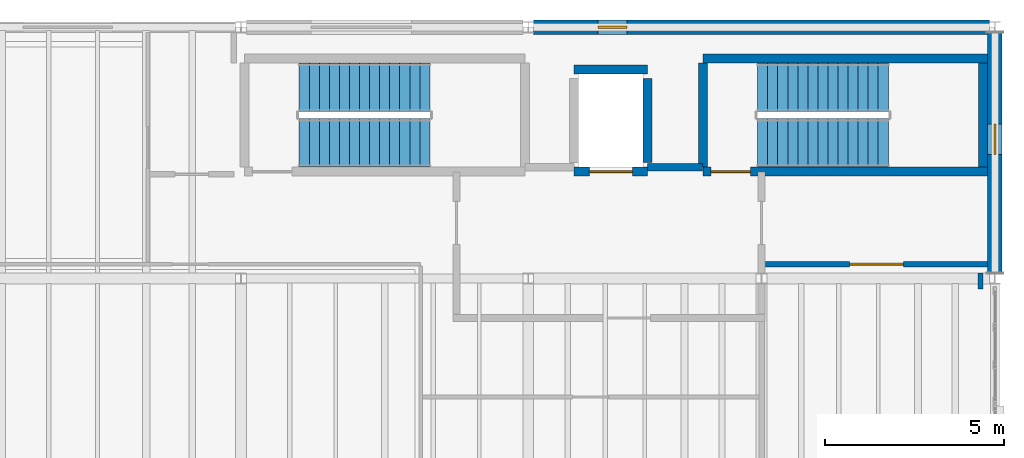
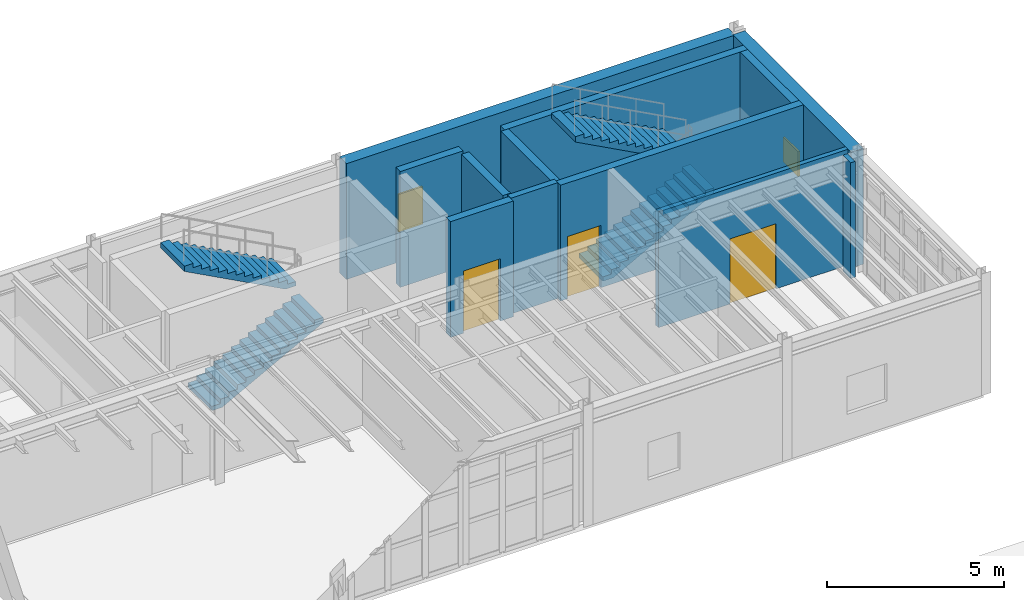
# One storey, part 9 of 11: 12 walls, 4 stair flights, 3 doors, 2 windows, 5 openings, 2 elements without a shape of their own.
"""IFC4 building model written with IfcOpenShell, lengths in metres."""

from ifc_helpers import new_model, si_unit, direction, frame, frame_2d, origin, place, context, subcontext, project, spatial, polyline, rectangle, outline, extrude, material, layer, layer_set, type_object, element, fill, aggregate, save


model = new_model("IFC4")

# Units and contexts
model_context = context("Model", 3, precision=1e-05, world=origin(), true_north=direction((0.0, 1.0)))
body_context = subcontext(model_context, "Body", "Model", "MODEL_VIEW")
ifc_project = project(units=[si_unit("LENGTHUNIT", "METRE"), si_unit("AREAUNIT", "SQUARE_METRE"), si_unit("VOLUMEUNIT", "CUBIC_METRE"), si_unit("PLANEANGLEUNIT", "RADIAN"), si_unit("MASSUNIT", "GRAM", prefix="KILO"), si_unit("THERMODYNAMICTEMPERATUREUNIT", "KELVIN"), si_unit("POWERUNIT", "WATT")], contexts=[model_context])

# Site, building, storey
site_placement = place(None, origin())
site = spatial("IfcSite", under=ifc_project, at=site_placement, CompositionType="ELEMENT")
building_placement = place(site_placement, origin())
building = spatial("IfcBuilding", under=site, at=building_placement, Name="Zhenchuan Central Fire Station", CompositionType="ELEMENT")
storey_placement = place(building_placement, frame((0.0, 0.0, 18.449951171875)))
storey = spatial("IfcBuildingStorey", under=building, at=storey_placement, Name="L05", CompositionType="ELEMENT", Elevation=18.449951171875)

# Wall, opening, window
ifc_material_1 = material(Name="Concrete C40/50", Category="concrete")
ifc_layer_1 = layer(ifc_material_1, 0.39990234375, Name="Concrete C40/50", Category="concrete")
ifc_layer_set_1 = layer_set([ifc_layer_1], Name="Concrete C40/50")
wall_type_1 = type_object("IfcWallType", Name="EW-RC400", PredefinedType="SHEAR", material=ifc_layer_set_1)
wall_1_placement = place(storey_placement, frame((148.14990234375, 56.5, 0.0), z_axis=(0.0, 0.0, 1.0), x_axis=(1.0, 0.0, 0.0)))
wall_1 = element("IfcWall", 1, at=wall_1_placement, inside=storey, type_object=wall_type_1, Name="EW-L05-V6N-2", PredefinedType="SHEAR", context=body_context, shape_type="SweptSolid", body=[
    extrude(rectangle(XDim=12.7001953125, YDim=0.39990234375, at=frame_2d((6.35009765625, 0.0))), origin(), (0.0, 0.0, 1.0), 4.0),
])
opening_1_placement = place(wall_1_placement, frame((1.800048828125, 0.0, 0.89990234375)))
opening_1 = element("IfcOpeningElement", 2, at=opening_1_placement, cuts=wall_1, Name="Opening W-39", PredefinedType="OPENING", context=body_context, shape_type="SweptSolid", body=[
    extrude(rectangle(XDim=0.800048828125, YDim=1.300048828125, at=frame_2d((0.39990234375, 0.64990234375))), frame((0.0, 0.2099609375, 0.0), z_axis=(0.0, -1.0, 0.0), x_axis=(1.0, 0.0, 0.0)), (0.0, 0.0, 1.0), 0.419921875),
])
ifc_material_2 = material(Name="Laminated low-E double glazing in aluminium frame", Category="aluminium")
window_type_1 = type_object("IfcWindowType", Name="WN-39", PartitioningType="SINGLE_PANEL", PredefinedType="WINDOW", material=ifc_material_2)
window_1_placement = place(opening_1_placement, origin())
window_1 = element("IfcWindow", 3, at=window_1_placement, inside=storey, type_object=window_type_1, Name="Exterior Window 0131", OverallHeight=1.300048828125, OverallWidth=0.800048828125, PartitioningType="SINGLE_PANEL", PredefinedType="WINDOW", context=body_context, shape_type="SweptSolid", body=[
    extrude(rectangle(XDim=0.800048828125, YDim=1.300048828125, at=frame_2d((0.39990234375, 0.64990234375))), frame((0.0, 0.030029296875, 0.0), z_axis=(0.0, -1.0, 0.0), x_axis=(1.0, 0.0, 0.0)), (0.0, 0.0, 1.0), 0.06005859375),
])
fill(opening_1, window_1)

wall_2_placement = place(storey_placement, frame((161.0, 49.64990234375, 0.0), z_axis=(0.0, 0.0, 1.0), x_axis=(0.0, 1.0, 0.0)))
wall_2 = element("IfcWall", 4, at=wall_2_placement, inside=storey, type_object=wall_type_1, Name="EW-L05-V6E-1", PredefinedType="SHEAR", context=body_context, shape_type="SweptSolid", body=[
    extrude(rectangle(XDim=6.7001953125, YDim=0.39990234375, at=frame_2d((3.35009765625, 0.0))), origin(), (0.0, 0.0, 1.0), 4.0),
])
opening_2_placement = place(wall_2_placement, frame((3.300048828125, 0.0, 1.10009765625)))
opening_2 = element("IfcOpeningElement", 5, at=opening_2_placement, cuts=wall_2, Name="Opening W-03", PredefinedType="OPENING", context=body_context, shape_type="SweptSolid", body=[
    extrude(rectangle(XDim=0.85009765625, YDim=0.85009765625, at=frame_2d((0.425048828125, 0.425048828125))), frame((0.0, 0.2099609375, 0.0), z_axis=(0.0, -1.0, 0.0), x_axis=(1.0, 0.0, 0.0)), (0.0, 0.0, 1.0), 0.419921875),
])
window_type_2 = type_object("IfcWindowType", Name="WN-03", PartitioningType="SINGLE_PANEL", PredefinedType="WINDOW", material=ifc_material_2)
window_2_placement = place(opening_2_placement, origin())
window_2 = element("IfcWindow", 6, at=window_2_placement, inside=storey, type_object=window_type_2, Name="Exterior Window 0132", OverallHeight=0.85009765625, OverallWidth=0.85009765625, PartitioningType="SINGLE_PANEL", PredefinedType="WINDOW", context=body_context, shape_type="SweptSolid", body=[
    extrude(rectangle(XDim=0.85009765625, YDim=0.85009765625, at=frame_2d((0.425048828125, 0.425048828125))), frame((0.0, 0.030029296875, 0.0), z_axis=(0.0, -1.0, 0.0), x_axis=(1.0, 0.0, 0.0)), (0.0, 0.0, 1.0), 0.06005859375),
])
fill(opening_2, window_2)

# Wall, opening, door
ifc_material_3 = material(Name="Autoclaved aerated concrete blockwork", Category="masonry")
ifc_layer_2 = layer(ifc_material_3, 0.14990234375, Name="Autoclaved aerated concrete blockwork", Category="masonry")
ifc_layer_set_2 = layer_set([ifc_layer_2], Name="Autoclaved aerated concrete blockwork")
wall_type_2 = type_object("IfcWallType", Name="IW-BLK150", PredefinedType="PARTITIONING", material=ifc_layer_set_2)
wall_3_placement = place(storey_placement, frame((154.60302734375, 49.89990234375, 0.0), z_axis=(0.0, 0.0, 1.0), x_axis=(1.0, 0.0, 0.0)))
wall_3 = element("IfcWall", 7, at=wall_3_placement, inside=storey, type_object=wall_type_2, Name="Upper Hose Drying Workshop N Partition", PredefinedType="PARTITIONING", context=body_context, shape_type="SweptSolid", body=[
    extrude(rectangle(XDim=6.194091796875, YDim=0.14990234375, at=frame_2d((3.09716796875, 0.0))), origin(), (0.0, 0.0, 1.0), 4.0),
])
opening_3_placement = place(wall_3_placement, frame((2.346923828125, 0.0, 0.0)))
opening_3 = element("IfcOpeningElement", 8, at=opening_3_placement, cuts=wall_3, Name="Opening D-182", PredefinedType="OPENING", context=body_context, shape_type="SweptSolid", body=[
    extrude(rectangle(XDim=1.5, YDim=2.25, at=frame_2d((0.75, 1.125))), frame((0.0, 0.0849609375, 0.0), z_axis=(0.0, -1.0, 0.0), x_axis=(1.0, 0.0, 0.0)), (0.0, 0.0, 1.0), 0.169921875),
])
ifc_material_4 = material(Name="Powder-coated steel workshop door", Category="steel")
door_type_1 = type_object("IfcDoorType", Name="ID-WKS-150x225", OperationType="NOTDEFINED", PredefinedType="DOOR", material=ifc_material_4)
door_1_placement = place(opening_3_placement, origin())
door_1 = element("IfcDoor", 9, at=door_1_placement, inside=storey, type_object=door_type_1, Name="Upper Hose Drying Workshop Door", OperationType="SINGLE_SWING_RIGHT", OverallHeight=2.25, OverallWidth=1.5, PredefinedType="DOOR", context=body_context, shape_type="SweptSolid", body=[
    extrude(rectangle(XDim=1.5, YDim=2.25, at=frame_2d((0.75, 1.125))), frame((0.0, 0.02490234375, 0.0), z_axis=(0.0, -1.0, 0.0), x_axis=(1.0, 0.0, 0.0)), (0.0, 0.0, 1.0), 0.050048828125),
])
fill(opening_3, door_1)

# Walls
wall_4_placement = place(storey_placement, frame((160.60009765625, 49.202880859375, 0.0), z_axis=(0.0, 0.0, 1.0), x_axis=(0.0, 1.0, 0.0)))
element("IfcWall", 10, at=wall_4_placement, inside=storey, type_object=wall_type_2, Name="Upper Hose Drying Workshop E Partition", PredefinedType="PARTITIONING", context=body_context, shape_type="SweptSolid", body=[
    extrude(rectangle(XDim=0.444091796875, YDim=0.14990234375, at=frame_2d((0.22216796875, 0.0))), origin(), (0.0, 0.0, 1.0), 4.0),
])
ifc_layer_3 = layer(ifc_material_3, 0.199951171875, Name="Autoclaved aerated concrete blockwork", Category="masonry")
ifc_layer_set_3 = layer_set([ifc_layer_3], Name="Autoclaved aerated concrete blockwork")
wall_type_3 = type_object("IfcWallType", Name="IW-FIR200", PredefinedType="PARTITIONING", material=ifc_layer_set_3)
wall_5_placement = place(storey_placement, frame((151.3291015625, 52.60009765625, 0.0), z_axis=(0.0, 0.0, 1.0), x_axis=(1.0, 0.0, 0.0)))
element("IfcWall", 11, at=wall_5_placement, inside=storey, type_object=wall_type_3, Name="L05 Firefighting Lobby North-East Infill Wall", PredefinedType="PARTITIONING", context=body_context, shape_type="SweptSolid", body=[
    extrude(rectangle(XDim=1.531982421875, YDim=0.199951171875, at=frame_2d((0.76611328125, 0.0))), origin(), (0.0, 0.0, 1.0), 4.0),
])

# Wall, opening, door
ifc_layer_4 = layer(ifc_material_1, 0.25, Name="Concrete C40/50", Category="concrete")
ifc_layer_set_4 = layer_set([ifc_layer_4], Name="Concrete C40/50")
wall_type_4 = type_object("IfcWallType", Name="IW-SHR250", PredefinedType="SHEAR", material=ifc_layer_set_4)
wall_6_placement = place(storey_placement, frame((152.864990234375, 52.47509765625, 0.0), z_axis=(0.0, 0.0, 1.0), x_axis=(1.0, 0.0, 0.0)))
wall_6 = element("IfcWall", 12, at=wall_6_placement, inside=storey, type_object=wall_type_4, Name="ST-13 L05 South Core Wall", PredefinedType="SHEAR", context=body_context, shape_type="SweptSolid", body=[
    extrude(rectangle(XDim=7.93505859375, YDim=0.25, at=frame_2d((3.967529296875, 0.0))), origin(), (0.0, 0.0, 1.0), 4.0),
])
opening_4_placement = place(wall_6_placement, frame((0.219970703125, 0.0, 0.0)))
opening_4 = element("IfcOpeningElement", 13, at=opening_4_placement, cuts=wall_6, Name="Opening D-040", PredefinedType="OPENING", context=body_context, shape_type="SweptSolid", body=[
    extrude(rectangle(XDim=1.10009765625, YDim=2.14990234375, at=frame_2d((0.550048828125, 1.074951171875))), frame((0.0, 0.135009765625, 0.0), z_axis=(0.0, -1.0, 0.0), x_axis=(1.0, 0.0, 0.0)), (0.0, 0.0, 1.0), 0.27001953125),
])
ifc_material_5 = material(Name="Painted steel acoustic fire door", Category="steel")
door_type_2 = type_object("IfcDoorType", Name="ID-ST-110x215", OperationType="NOTDEFINED", PredefinedType="DOOR", material=ifc_material_5)
door_2_placement = place(opening_4_placement, frame((1.10009765625, 0.0, 0.0), z_axis=(0.0, 0.0, 1.0), x_axis=(-1.0, 0.0, 0.0)))
door_2 = element("IfcDoor", 14, at=door_2_placement, inside=storey, type_object=door_type_2, Name="ST-13 L05 Fire Door", OperationType="SINGLE_SWING_RIGHT", OverallHeight=2.14990234375, OverallWidth=1.10009765625, PredefinedType="DOOR", context=body_context, shape_type="SweptSolid", body=[
    extrude(rectangle(XDim=1.10009765625, YDim=2.14990234375, at=frame_2d((0.550048828125, 1.074951171875))), frame((0.0, 0.02490234375, 0.0), z_axis=(0.0, -1.0, 0.0), x_axis=(1.0, 0.0, 0.0)), (0.0, 0.0, 1.0), 0.050048828125),
])
fill(opening_4, door_2)

# Walls
wall_7_placement = place(storey_placement, frame((152.864990234375, 55.625, 0.0), z_axis=(0.0, 0.0, 1.0), x_axis=(1.0, 0.0, 0.0)))
element("IfcWall", 15, at=wall_7_placement, inside=storey, type_object=wall_type_4, Name="ST-13 L05 North Core Wall", PredefinedType="SHEAR", context=body_context, shape_type="SweptSolid", body=[
    extrude(rectangle(XDim=7.93505859375, YDim=0.25, at=frame_2d((3.967529296875, 0.0))), origin(), (0.0, 0.0, 1.0), 4.0),
])
for number, where, z_axis, x_axis, name in (
    (16, (152.864990234375, 52.60009765625, 0.0), (0.0, 0.0, 1.0), (0.0, 1.0, 0.0), "ST-13 L05 West Core Wall"),
    (17, (160.675048828125, 52.60009765625, 0.0), (0.0, 0.0, 1.0), (0.0, 1.0, 0.0), "ST-13 L05 East Core Wall"),
):
    element("IfcWall", number, at=place(storey_placement, frame(where, z_axis=z_axis, x_axis=x_axis)), inside=storey, type_object=wall_type_4, Name=name, PredefinedType="SHEAR", context=body_context, shape_type="SweptSolid", body=[
        extrude(rectangle(XDim=2.89990234375, YDim=0.25, at=frame_2d((1.449951171875, 0.0))), origin(), (0.0, 0.0, 1.0), 4.0),
    ])

# Wall, opening, door
wall_8_placement = place(storey_placement, frame((149.27490234375, 52.47509765625, 0.0), z_axis=(0.0, 0.0, 1.0), x_axis=(1.0, 0.0, 0.0)))
wall_8 = element("IfcWall", 18, at=wall_8_placement, inside=storey, type_object=wall_type_4, Name="Lift FL-01 L05 South Shaft Wall", PredefinedType="SHEAR", context=body_context, shape_type="SweptSolid", body=[
    extrude(rectangle(XDim=2.050048828125, YDim=0.25, at=frame_2d((1.02490234375, 0.0))), origin(), (0.0, 0.0, 1.0), 4.0),
])
opening_5_placement = place(wall_8_placement, frame((0.425048828125, 0.0, 0.0)))
opening_5 = element("IfcOpeningElement", 19, at=opening_5_placement, cuts=wall_8, Name="Opening LD-005", PredefinedType="OPENING", context=body_context, shape_type="SweptSolid", body=[
    extrude(rectangle(XDim=1.199951171875, YDim=2.14990234375, at=frame_2d((0.60009765625, 1.074951171875))), frame((0.0, 0.135009765625, 0.0), z_axis=(0.0, -1.0, 0.0), x_axis=(1.0, 0.0, 0.0)), (0.0, 0.0, 1.0), 0.27001953125),
])
ifc_material_6 = material(Name="Brushed stainless steel sliding landing door", Category="steel")
door_type_3 = type_object("IfcDoorType", Name="ID-LD-120x215", OperationType="NOTDEFINED", PredefinedType="DOOR", material=ifc_material_6)
door_3_placement = place(opening_5_placement, origin())
door_3 = element("IfcDoor", 20, at=door_3_placement, inside=storey, type_object=door_type_3, Name="Lift FL-01 L05 Sliding Landing Door", OperationType="DOUBLE_DOOR_SLIDING", OverallHeight=2.14990234375, OverallWidth=1.199951171875, PredefinedType="DOOR", context=body_context, shape_type="SweptSolid", body=[
    extrude(rectangle(XDim=1.199951171875, YDim=2.14990234375, at=frame_2d((0.60009765625, 1.074951171875))), frame((0.0, 0.02490234375, 0.0), z_axis=(0.0, -1.0, 0.0), x_axis=(1.0, 0.0, 0.0)), (0.0, 0.0, 1.0), 0.050048828125),
])
fill(opening_5, door_3)

# Walls
wall_9_placement = place(storey_placement, frame((149.27490234375, 55.324951171875, 0.0), z_axis=(0.0, 0.0, 1.0), x_axis=(1.0, 0.0, 0.0)))
element("IfcWall", 21, at=wall_9_placement, inside=storey, type_object=wall_type_4, Name="Lift FL-01 L05 North Shaft Wall", PredefinedType="SHEAR", context=body_context, shape_type="SweptSolid", body=[
    extrude(rectangle(XDim=2.050048828125, YDim=0.25, at=frame_2d((1.02490234375, 0.0))), origin(), (0.0, 0.0, 1.0), 4.0),
])
wall_10_placement = place(storey_placement, frame((151.324951171875, 52.72509765625, 0.0), z_axis=(0.0, 0.0, 1.0), x_axis=(0.0, 1.0, 0.0)))
element("IfcWall", 22, at=wall_10_placement, inside=storey, type_object=wall_type_4, Name="Lift FL-01 L05 East Shaft Wall", PredefinedType="SHEAR", context=body_context, shape_type="SweptSolid", body=[
    extrude(rectangle(XDim=2.349853515625, YDim=0.25, at=frame_2d((1.1748046875, 0.0))), origin(), (0.0, 0.0, 1.0), 4.0),
])

# Stair, stair flights
ifc_material_7 = material(Name="Concrete C35/45", Category="concrete")
stair_type = type_object("IfcStairType", Name="ST-CORE-TYP", PredefinedType="HALF_TURN_STAIR", material=ifc_material_7)
stair_1_placement = place(storey_placement, origin())
stair_1 = element("IfcStair", 23, at=stair_1_placement, inside=storey, type_object=stair_type, Name="L05 Drill Tower West Exit Stair", PredefinedType="HALF_TURN_STAIR")
stair_flight_type = type_object("IfcStairFlightType", Name="SFL-CORE-TYP", PredefinedType="STRAIGHT", material=ifc_material_7)
stair_flight_1_placement = place(storey_placement, frame((141.6201171875, 53.27490234375, 0.0), z_axis=(0.0, 0.0, 1.0), x_axis=(1.0, 0.0, 0.0)))
stair_flight_1 = element("IfcStairFlight", 24, at=stair_flight_1_placement, type_object=stair_flight_type, Name="ST-12 flight 1", NumberOfRisers=14, NumberOfTreads=13, PredefinedType="STRAIGHT", RiserHeight=0.15, TreadLength=0.28, context=body_context, shape_type="SweptSolid", body=[
    extrude(outline(polyline([(0.0, 0.0), (0.0, 0.14990234375), (0.280029296875, 0.14990234375), (0.280029296875, 0.300048828125), (0.56005859375, 0.300048828125), (0.56005859375, 0.449951171875), (0.840087890625, 0.449951171875), (0.840087890625, 0.60009765625), (1.1201171875, 0.60009765625), (1.1201171875, 0.75), (1.39990234375, 0.75), (1.39990234375, 0.89990234375), (1.679931640625, 0.89990234375), (1.679931640625, 1.050048828125), (1.9599609375, 1.050048828125), (1.9599609375, 1.199951171875), (2.239990234375, 1.199951171875), (2.239990234375, 1.35009765625), (2.52001953125, 1.35009765625), (2.52001953125, 1.5), (2.800048828125, 1.5), (2.800048828125, 1.64990234375), (3.080078125, 1.64990234375), (3.080078125, 1.800048828125), (3.360107421875, 1.800048828125), (3.360107421875, 1.949951171875), (3.639892578125, 1.949951171875), (3.639892578125, 2.10009765625), (3.639892578125, 1.7685546875), (0.338623046875, 0.0), (0.0, 0.0)])), frame((0.0, 0.675048828125, 0.0), z_axis=(0.0, -1.0, 0.0), x_axis=(1.0, 0.0, 0.0)), (0.0, 0.0, 1.0), 1.35009765625),
])
stair_flight_2_placement = place(storey_placement, frame((145.260009765625, 54.824951171875, 2.10009765625), z_axis=(0.0, 0.0, 1.0), x_axis=(-1.0, 0.0, 0.0)))
stair_flight_2 = element("IfcStairFlight", 25, at=stair_flight_2_placement, type_object=stair_flight_type, Name="ST-12 flight 2", NumberOfRisers=14, NumberOfTreads=13, PredefinedType="STRAIGHT", RiserHeight=0.15, TreadLength=0.28, context=body_context, shape_type="SweptSolid", body=[
    extrude(outline(polyline([(0.0, 0.0), (0.0, 0.14990234375), (0.280029296875, 0.14990234375), (0.280029296875, 0.300048828125), (0.56005859375, 0.300048828125), (0.56005859375, 0.449951171875), (0.840087890625, 0.449951171875), (0.840087890625, 0.60009765625), (1.1201171875, 0.60009765625), (1.1201171875, 0.75), (1.39990234375, 0.75), (1.39990234375, 0.89990234375), (1.679931640625, 0.89990234375), (1.679931640625, 1.050048828125), (1.9599609375, 1.050048828125), (1.9599609375, 1.199951171875), (2.239990234375, 1.199951171875), (2.239990234375, 1.35009765625), (2.52001953125, 1.35009765625), (2.52001953125, 1.5), (2.800048828125, 1.5), (2.800048828125, 1.64990234375), (3.080078125, 1.64990234375), (3.080078125, 1.800048828125), (3.360107421875, 1.800048828125), (3.360107421875, 1.949951171875), (3.639892578125, 1.949951171875), (3.639892578125, 2.10009765625), (3.639892578125, 1.7685546875), (0.338623046875, 0.0), (0.0, 0.0)])), frame((0.0, 0.675048828125, 0.0), z_axis=(0.0, -1.0, 0.0), x_axis=(1.0, 0.0, 0.0)), (0.0, 0.0, 1.0), 1.35009765625),
])
aggregate(stair_1, [stair_flight_1, stair_flight_2])

stair_2_placement = place(storey_placement, origin())
stair_2 = element("IfcStair", 26, at=stair_2_placement, inside=storey, type_object=stair_type, Name="L05 Drill Tower East Exit Stair", PredefinedType="HALF_TURN_STAIR")
stair_flight_3_placement = place(storey_placement, frame((154.389892578125, 53.27490234375, 0.0), z_axis=(0.0, 0.0, 1.0), x_axis=(1.0, 0.0, 0.0)))
stair_flight_3 = element("IfcStairFlight", 27, at=stair_flight_3_placement, type_object=stair_flight_type, Name="ST-13 flight 1", NumberOfRisers=14, NumberOfTreads=13, PredefinedType="STRAIGHT", RiserHeight=0.15, TreadLength=0.28, context=body_context, shape_type="SweptSolid", body=[
    extrude(outline(polyline([(0.0, 0.0), (0.0, 0.14990234375), (0.280029296875, 0.14990234375), (0.280029296875, 0.300048828125), (0.56005859375, 0.300048828125), (0.56005859375, 0.449951171875), (0.840087890625, 0.449951171875), (0.840087890625, 0.60009765625), (1.1201171875, 0.60009765625), (1.1201171875, 0.75), (1.39990234375, 0.75), (1.39990234375, 0.89990234375), (1.679931640625, 0.89990234375), (1.679931640625, 1.050048828125), (1.9599609375, 1.050048828125), (1.9599609375, 1.199951171875), (2.239990234375, 1.199951171875), (2.239990234375, 1.35009765625), (2.52001953125, 1.35009765625), (2.52001953125, 1.5), (2.800048828125, 1.5), (2.800048828125, 1.64990234375), (3.080078125, 1.64990234375), (3.080078125, 1.800048828125), (3.360107421875, 1.800048828125), (3.360107421875, 1.949951171875), (3.639892578125, 1.949951171875), (3.639892578125, 2.10009765625), (3.639892578125, 1.7685546875), (0.338623046875, 0.0), (0.0, 0.0)])), frame((0.0, 0.675048828125, 0.0), z_axis=(0.0, -1.0, 0.0), x_axis=(1.0, 0.0, 0.0)), (0.0, 0.0, 1.0), 1.35009765625),
])
stair_flight_4_placement = place(storey_placement, frame((158.030029296875, 54.824951171875, 2.10009765625), z_axis=(0.0, 0.0, 1.0), x_axis=(-1.0, 0.0, 0.0)))
stair_flight_4 = element("IfcStairFlight", 28, at=stair_flight_4_placement, type_object=stair_flight_type, Name="ST-13 flight 2", NumberOfRisers=14, NumberOfTreads=13, PredefinedType="STRAIGHT", RiserHeight=0.15, TreadLength=0.28, context=body_context, shape_type="SweptSolid", body=[
    extrude(outline(polyline([(0.0, 0.0), (0.0, 0.14990234375), (0.280029296875, 0.14990234375), (0.280029296875, 0.300048828125), (0.56005859375, 0.300048828125), (0.56005859375, 0.449951171875), (0.840087890625, 0.449951171875), (0.840087890625, 0.60009765625), (1.1201171875, 0.60009765625), (1.1201171875, 0.75), (1.39990234375, 0.75), (1.39990234375, 0.89990234375), (1.679931640625, 0.89990234375), (1.679931640625, 1.050048828125), (1.9599609375, 1.050048828125), (1.9599609375, 1.199951171875), (2.239990234375, 1.199951171875), (2.239990234375, 1.35009765625), (2.52001953125, 1.35009765625), (2.52001953125, 1.5), (2.800048828125, 1.5), (2.800048828125, 1.64990234375), (3.080078125, 1.64990234375), (3.080078125, 1.800048828125), (3.360107421875, 1.800048828125), (3.360107421875, 1.949951171875), (3.639892578125, 1.949951171875), (3.639892578125, 2.10009765625), (3.639892578125, 1.7685546875), (0.338623046875, 0.0), (0.0, 0.0)])), frame((0.0, 0.675048828125, 0.0), z_axis=(0.0, -1.0, 0.0), x_axis=(1.0, 0.0, 0.0)), (0.0, 0.0, 1.0), 1.35009765625),
])
aggregate(stair_2, [stair_flight_3, stair_flight_4])

save(model, "model.ifc")
